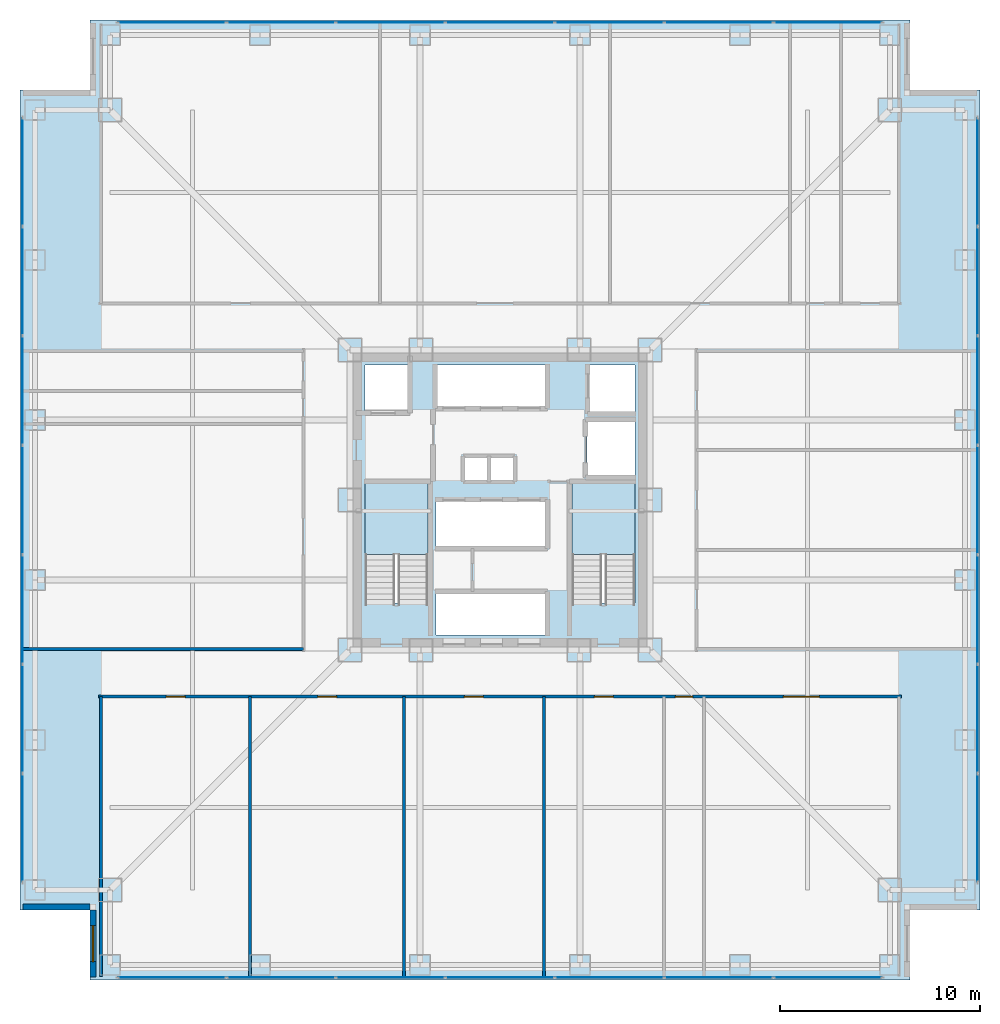
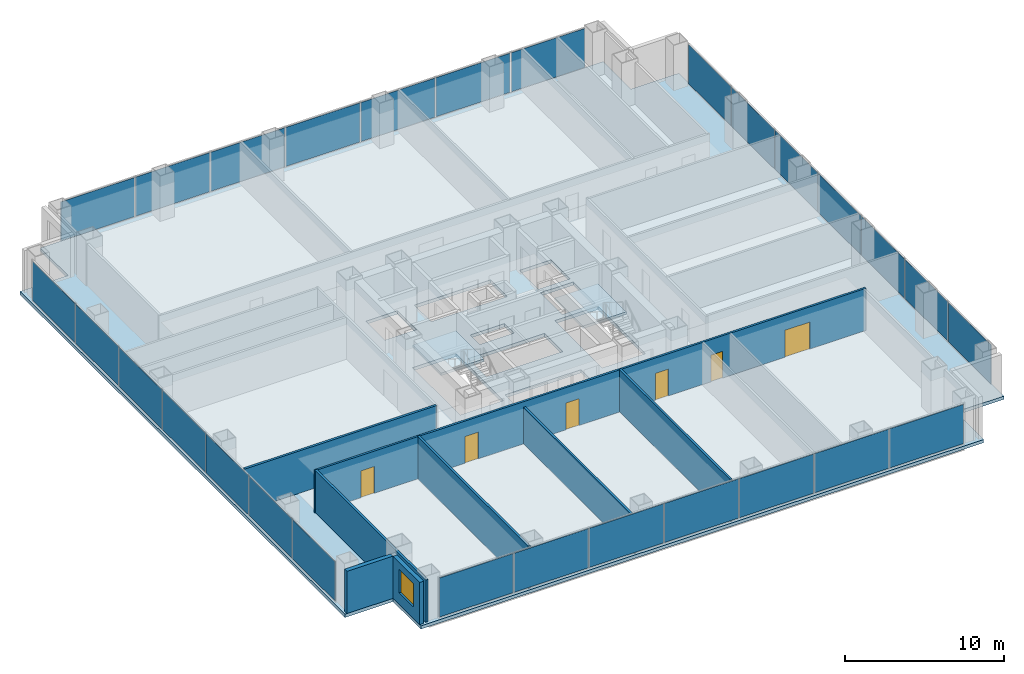
# One storey, part 14 of 19: 28 plates, 8 walls, 6 doors, 3 slabs, 1 window, 7 openings, 6 elements without a shape of their own.
"""IFC4 building model written with IfcOpenShell, lengths in metres."""

import ifcopenshell
import ifcopenshell.guid

model = None  # the IFC model being written
_history = None  # IfcOwnerHistory: only IFC2X3 demands one
_inside = {}  # id of a spatial element -> (the spatial element, [elements in it])
_under = {}  # id of a project, library or spatial element -> (it, [spatial elements below it])
_declared = {}  # id of a project -> (the project, [libraries it declares])
_typed = {}  # id of a type object -> (the type object, [elements of that type])
_made_of = {}  # id of a material, layer set ... -> (it, [elements and type objects made of it])


def new_model(schema):
    """Start an empty IFC model of exactly this schema.

    Asked for "IFC4X3", IfcOpenShell would pick the latest addendum, in which some entities
    have other attributes; the version numbers below select the first issue.
    IFC2X3 requires an IfcOwnerHistory on every rooted entity: one is made here for all.
    """
    global model, _history
    if schema == "IFC4X3":
        model = ifcopenshell.file(schema_version=(4, 3, 0, 0))
    else:
        model = ifcopenshell.file(schema=schema)
    _inside.clear()
    _under.clear()
    _declared.clear()
    _typed.clear()
    _made_of.clear()
    _history = None
    if model.schema == "IFC2X3":
        org = make("IfcOrganization", Name="unknown")
        user = make(
            "IfcPersonAndOrganization",
            ThePerson=make("IfcPerson", FamilyName="unknown"),
            TheOrganization=org,
        )
        app = make(
            "IfcApplication",
            ApplicationDeveloper=org,
            Version="unknown",
            ApplicationFullName="unknown",
            ApplicationIdentifier="unknown",
        )
        _history = make(
            "IfcOwnerHistory",
            OwningUser=user,
            OwningApplication=app,
            ChangeAction="ADDED",
            CreationDate=0,
        )
    return model


def make(cls, **values):
    """One entity of the class cls with the attributes given. An attribute that is None is left unset."""
    return model.create_entity(
        cls, **{name: value for name, value in values.items() if value is not None}
    )


def rooted(cls, **values):
    """An entity with a GlobalId (a new one), such as an element, a storey or a relation."""
    return make(cls, GlobalId=ifcopenshell.guid.new(), OwnerHistory=_history, **values)


def si_unit(unit_type, name, prefix=None):
    """IfcSIUnit, for example si_unit("LENGTHUNIT", "METRE", prefix="MILLI")."""
    return make("IfcSIUnit", UnitType=unit_type, Prefix=prefix, Name=name)


def assignment(units):
    """IfcUnitAssignment: the units of a project."""
    return None if units is None else make("IfcUnitAssignment", Units=units)


def point(xyz):
    """IfcCartesianPoint."""
    return None if xyz is None else make("IfcCartesianPoint", Coordinates=xyz)


def direction(xyz):
    """IfcDirection."""
    return None if xyz is None else make("IfcDirection", DirectionRatios=xyz)


def frame(location, z_axis=None, x_axis=None):
    """IfcAxis2Placement3D, a coordinate frame: its origin and axes. An axis left out is left unset."""
    return make(
        "IfcAxis2Placement3D",
        Location=point(location),
        Axis=direction(z_axis),
        RefDirection=direction(x_axis),
    )


def frame_2d(location, x_axis=None):
    """IfcAxis2Placement2D, a coordinate frame in the plane: its origin and x axis."""
    return make(
        "IfcAxis2Placement2D", Location=point(location), RefDirection=direction(x_axis)
    )


def origin():
    """The frame at (0, 0, 0) with its axes left unset."""
    return frame((0.0, 0.0, 0.0))


def origin_2d():
    """The frame at (0, 0) in the plane with its x axis left unset."""
    return frame_2d((0.0, 0.0))


def place(relative_to, where):
    """IfcLocalPlacement: puts the frame where relative to a parent placement (None: the world)."""
    return make(
        "IfcLocalPlacement", PlacementRelTo=relative_to, RelativePlacement=where
    )


def context(
    kind, dimensions, precision=None, world=None, true_north=None, identifier=None
):
    """IfcGeometricRepresentationContext, for example the 3D "Model" context."""
    return make(
        "IfcGeometricRepresentationContext",
        ContextIdentifier=identifier,
        ContextType=kind,
        CoordinateSpaceDimension=dimensions,
        Precision=precision,
        WorldCoordinateSystem=world,
        TrueNorth=true_north,
    )


def subcontext(parent, identifier, kind, view, scale=None):
    """IfcGeometricRepresentationSubContext, for example "Body" below "Model"."""
    return make(
        "IfcGeometricRepresentationSubContext",
        ContextIdentifier=identifier,
        ContextType=kind,
        ParentContext=parent,
        TargetScale=scale,
        TargetView=view,
    )


def project(units=None, contexts=None):
    """IfcProject with its units and contexts."""
    return rooted(
        "IfcProject",
        Name="project",
        RepresentationContexts=contexts,
        UnitsInContext=assignment(units),
    )


def spatial(cls, under=None, at=None, **own):
    """A site, building, storey or space (cls), placed at a placement, below another one or the project."""
    s = rooted(cls, ObjectPlacement=at, **own)
    if under is not None:
        _under.setdefault(under.id(), (under, []))[1].append(s)
    return s


def polyline(points):
    """IfcPolyline through the points."""
    return make("IfcPolyline", Points=[point(p) for p in points])


def profile(cls, at=None, kind="AREA", **sizes):
    """A parametric profile (cls). Its sizes go by their IFC names, for example OverallWidth=200.0."""
    return make(cls, ProfileType=kind, Position=at, **sizes)


def rectangle(**sizes):
    """IfcRectangleProfileDef."""
    return profile("IfcRectangleProfileDef", **sizes)


def outline(outer, holes=None, kind="AREA"):
    """IfcArbitraryClosedProfileDef: a profile drawn as a closed curve; with holes, ...WithVoids."""
    if holes is None:
        return make("IfcArbitraryClosedProfileDef", ProfileType=kind, OuterCurve=outer)
    return make(
        "IfcArbitraryProfileDefWithVoids",
        ProfileType=kind,
        OuterCurve=outer,
        InnerCurves=holes,
    )


def extrude(swept, where, along, depth):
    """IfcExtrudedAreaSolid: the profile swept, set in the frame where, extruded along a direction by depth."""
    return make(
        "IfcExtrudedAreaSolid",
        SweptArea=swept,
        Position=where,
        ExtrudedDirection=direction(along),
        Depth=depth,
    )


def shape(context_of_items, identifier, shape_type, items):
    """IfcShapeRepresentation: the items that make up one representation, for example the "Body"."""
    return make(
        "IfcShapeRepresentation",
        ContextOfItems=context_of_items,
        RepresentationIdentifier=identifier,
        RepresentationType=shape_type,
        Items=items,
    )


def material(Name=None, Category=None):
    """IfcMaterial."""
    return make("IfcMaterial", Name=Name, Category=Category)


def layer(
    of_material, thickness, ventilated=None, Name=None, Category=None, Priority=None
):
    """IfcMaterialLayer: one layer of a wall or slab, of a material (None: an air gap)."""
    return make(
        "IfcMaterialLayer",
        Material=of_material,
        LayerThickness=thickness,
        IsVentilated=ventilated,
        Name=Name,
        Category=Category,
        Priority=Priority,
    )


def layer_set(layers, Name=None):
    """IfcMaterialLayerSet."""
    return make("IfcMaterialLayerSet", MaterialLayers=layers, LayerSetName=Name)


def made_of(thing, what):
    """Note that an element or type object is made of a material, layer set ...; save() writes the relation."""
    if what is not None:
        _made_of.setdefault(what.id(), (what, []))[1].append(thing)
    return thing


def type_object(cls, material=None, **own):
    """A type object (cls), such as IfcWallType, which elements share."""
    return made_of(rooted(cls, **own), material)


def element(
    cls,
    number,
    at=None,
    inside=None,
    cuts=None,
    type_object=None,
    material=None,
    context=None,
    identifier="Body",
    shape_type=None,
    held_by="IfcProductDefinitionShape",
    body=None,
    shapes=None,
    **own,
):
    """One element of the class cls, such as IfcWall. Its Tag is "e" and its number.

    at: its placement. inside: the storey or other place that contains it. cuts: it is an
    opening in that element (IfcRelVoidsElement). A single representation is given by context,
    identifier, shape_type and body (its items); several are given by shapes. held_by: the class
    of the entity that holds the representations. save() writes the other relations.
    """
    e = rooted(cls, Tag="e%d" % number, ObjectPlacement=at, **own)
    if body is not None:
        shapes = [shape(context, identifier, shape_type, body)]
    if shapes is not None:
        e.Representation = make(held_by, Representations=shapes)
    if inside is not None:
        _inside.setdefault(inside.id(), (inside, []))[1].append(e)
    if cuts is not None:
        rooted(
            "IfcRelVoidsElement", RelatingBuildingElement=cuts, RelatedOpeningElement=e
        )
    if type_object is not None:
        _typed.setdefault(type_object.id(), (type_object, []))[1].append(e)
    return made_of(e, material)


def fill(opening, filler):
    """IfcRelFillsElement: the door or window that sits in an opening."""
    return rooted(
        "IfcRelFillsElement",
        RelatingOpeningElement=opening,
        RelatedBuildingElement=filler,
    )


def aggregate(whole, parts):
    """IfcRelAggregates: a whole, such as a stair, and the parts it consists of."""
    return rooted("IfcRelAggregates", RelatingObject=whole, RelatedObjects=parts)


def save(model, path):
    """Write the relations noted so far, then the file.

    IfcRelAggregates (storeys below a building ...), IfcRelContainedInSpatialStructure (elements
    in a storey), IfcRelDefinesByType, IfcRelAssociatesMaterial and IfcRelDeclares: one each for
    every whole, place, type object, material and project.
    """
    for whole, parts in _under.values():
        aggregate(whole, parts)
    for where, things in _inside.values():
        rooted(
            "IfcRelContainedInSpatialStructure",
            RelatedElements=things,
            RelatingStructure=where,
        )
    for kind, things in _typed.values():
        rooted("IfcRelDefinesByType", RelatedObjects=things, RelatingType=kind)
    for what, things in _made_of.values():
        rooted("IfcRelAssociatesMaterial", RelatedObjects=things, RelatingMaterial=what)
    for by, libraries in _declared.values():
        rooted("IfcRelDeclares", RelatingContext=by, RelatedDefinitions=libraries)
    model.write(path)


model = new_model("IFC4")

# Units and contexts
model_context = context("Model", 3, precision=1e-05, world=origin(), true_north=direction((0.0, 1.0)))
body_context = subcontext(model_context, "Body", "Model", "MODEL_VIEW")
ifc_project = project(units=[si_unit("LENGTHUNIT", "METRE"), si_unit("AREAUNIT", "SQUARE_METRE"), si_unit("VOLUMEUNIT", "CUBIC_METRE"), si_unit("PLANEANGLEUNIT", "RADIAN"), si_unit("MASSUNIT", "GRAM", prefix="KILO")], contexts=[model_context])

# Site, building, storey
site_placement = place(None, origin())
site = spatial("IfcSite", under=ifc_project, at=site_placement, CompositionType="ELEMENT")
building_placement = place(site_placement, origin())
building = spatial("IfcBuilding", under=site, at=building_placement, Name="Trevonay Congress Spire", CompositionType="ELEMENT")
storey_placement = place(building_placement, frame((0.0, 0.0, 41.0)))
storey = spatial("IfcBuildingStorey", under=building, at=storey_placement, Name="L09", CompositionType="ELEMENT", Elevation=41.0)

# Curtain wall, plates
ifc_material_1 = material(Name="Pale Anodised Aluminium EN AW-6063-T6", Category="aluminium")
ifc_layer_1 = layer(ifc_material_1, 0.179931640625, Name="Pale Anodised Aluminium EN AW-6063-T6")
ifc_layer_set_1 = layer_set([ifc_layer_1], Name="Pale Anodised Aluminium EN AW-6063-T6")
curtain_wall_type = type_object("IfcCurtainWallType", Name="CW-SYS02-HOTEL-PALE-METAL", PredefinedType="NOTDEFINED", material=ifc_layer_set_1)
curtain_wall_1_placement = place(storey_placement, origin())
curtain_wall_1 = element("IfcCurtainWall", 1, at=curtain_wall_1_placement, inside=storey, type_object=curtain_wall_type, Name="L09 S unitised curtain wall", PredefinedType="NOTDEFINED")
ifc_material_2 = material(Name="Insulated Low-E Vision Glass IGU", Category="glass")
ifc_layer_2 = layer(ifc_material_2, 0.035888671875, Name="Insulated Low-E Vision Glass IGU")
ifc_layer_set_2 = layer_set([ifc_layer_2], Name="Insulated Low-E Vision Glass IGU")
plate_type = type_object("IfcPlateType", Name="CW-PANEL-IGU36-SILVER", PredefinedType="CURTAIN_PANEL", material=ifc_layer_set_2)
plate_1_placement = place(storey_placement, frame((-16.399169921875, -23.8798828125, 0.1201171875), z_axis=(0.0, 0.0, 1.0), x_axis=(1.0, 0.0, 0.0)))
plate_1 = element("IfcPlate", 2, at=plate_1_placement, type_object=plate_type, Name="CW02 panel 1.1", PredefinedType="CURTAIN_PANEL", context=body_context, shape_type="SweptSolid", body=[
    extrude(rectangle(XDim=5.38134765625, YDim=0.035888671875, at=origin_2d()), origin(), (0.0, 0.0, 1.0), 3.010009765625),
])
plate_2_placement = place(storey_placement, frame((-10.94287109375, -23.8798828125, 0.1201171875), z_axis=(0.0, 0.0, 1.0), x_axis=(1.0, 0.0, 0.0)))
plate_2 = element("IfcPlate", 3, at=plate_2_placement, type_object=plate_type, Name="CW02 panel 2.1", PredefinedType="CURTAIN_PANEL", context=body_context, shape_type="SweptSolid", body=[
    extrude(rectangle(XDim=5.411376953125, YDim=0.035888671875, at=origin_2d()), origin(), (0.0, 0.0, 1.0), 3.010009765625),
])
plate_3_placement = place(storey_placement, frame((-5.471435546875, -23.8798828125, 0.1201171875), z_axis=(0.0, 0.0, 1.0), x_axis=(1.0, 0.0, 0.0)))
plate_3 = element("IfcPlate", 4, at=plate_3_placement, type_object=plate_type, Name="CW02 panel 3.1", PredefinedType="CURTAIN_PANEL", context=body_context, shape_type="SweptSolid", body=[
    extrude(rectangle(XDim=5.411376953125, YDim=0.035888671875, at=origin_2d()), origin(), (0.0, 0.0, 1.0), 3.010009765625),
])
plate_4_placement = place(storey_placement, frame((0.0, -23.8798828125, 0.1201171875), z_axis=(0.0, 0.0, 1.0), x_axis=(1.0, 0.0, 0.0)))
plate_4 = element("IfcPlate", 5, at=plate_4_placement, type_object=plate_type, Name="CW02 panel 4.1", PredefinedType="CURTAIN_PANEL", context=body_context, shape_type="SweptSolid", body=[
    extrude(rectangle(XDim=5.411376953125, YDim=0.035888671875, at=origin_2d()), origin(), (0.0, 0.0, 1.0), 3.010009765625),
])
plate_5_placement = place(storey_placement, frame((5.471435546875, -23.8798828125, 0.1201171875), z_axis=(0.0, 0.0, 1.0), x_axis=(1.0, 0.0, 0.0)))
plate_5 = element("IfcPlate", 6, at=plate_5_placement, type_object=plate_type, Name="CW02 panel 5.1", PredefinedType="CURTAIN_PANEL", context=body_context, shape_type="SweptSolid", body=[
    extrude(rectangle(XDim=5.411376953125, YDim=0.035888671875, at=origin_2d()), origin(), (0.0, 0.0, 1.0), 3.010009765625),
])
plate_6_placement = place(storey_placement, frame((10.94287109375, -23.8798828125, 0.1201171875), z_axis=(0.0, 0.0, 1.0), x_axis=(1.0, 0.0, 0.0)))
plate_6 = element("IfcPlate", 7, at=plate_6_placement, type_object=plate_type, Name="CW02 panel 6.1", PredefinedType="CURTAIN_PANEL", context=body_context, shape_type="SweptSolid", body=[
    extrude(rectangle(XDim=5.411376953125, YDim=0.035888671875, at=origin_2d()), origin(), (0.0, 0.0, 1.0), 3.010009765625),
])
plate_7_placement = place(storey_placement, frame((16.399169921875, -23.8798828125, 0.1201171875), z_axis=(0.0, 0.0, 1.0), x_axis=(1.0, 0.0, 0.0)))
plate_7 = element("IfcPlate", 8, at=plate_7_placement, type_object=plate_type, Name="CW02 panel 7.1", PredefinedType="CURTAIN_PANEL", context=body_context, shape_type="SweptSolid", body=[
    extrude(rectangle(XDim=5.38134765625, YDim=0.035888671875, at=origin_2d()), origin(), (0.0, 0.0, 1.0), 3.010009765625),
])
aggregate(curtain_wall_1, [plate_1, plate_2, plate_3, plate_4, plate_5, plate_6, plate_7])

curtain_wall_2_placement = place(storey_placement, origin())
curtain_wall_2 = element("IfcCurtainWall", 9, at=curtain_wall_2_placement, inside=storey, type_object=curtain_wall_type, Name="L09 N unitised curtain wall", PredefinedType="NOTDEFINED")
plate_8_placement = place(storey_placement, frame((-16.399169921875, 23.8798828125, 0.1201171875), z_axis=(0.0, 0.0, 1.0), x_axis=(1.0, 0.0, 0.0)))
plate_8 = element("IfcPlate", 10, at=plate_8_placement, type_object=plate_type, Name="CW02 panel 1.1", PredefinedType="CURTAIN_PANEL", context=body_context, shape_type="SweptSolid", body=[
    extrude(rectangle(XDim=5.38134765625, YDim=0.035888671875, at=origin_2d()), origin(), (0.0, 0.0, 1.0), 3.010009765625),
])
plate_9_placement = place(storey_placement, frame((-10.94287109375, 23.8798828125, 0.1201171875), z_axis=(0.0, 0.0, 1.0), x_axis=(1.0, 0.0, 0.0)))
plate_9 = element("IfcPlate", 11, at=plate_9_placement, type_object=plate_type, Name="CW02 panel 2.1", PredefinedType="CURTAIN_PANEL", context=body_context, shape_type="SweptSolid", body=[
    extrude(rectangle(XDim=5.411376953125, YDim=0.035888671875, at=origin_2d()), origin(), (0.0, 0.0, 1.0), 3.010009765625),
])
plate_10_placement = place(storey_placement, frame((-5.471435546875, 23.8798828125, 0.1201171875), z_axis=(0.0, 0.0, 1.0), x_axis=(1.0, 0.0, 0.0)))
plate_10 = element("IfcPlate", 12, at=plate_10_placement, type_object=plate_type, Name="CW02 panel 3.1", PredefinedType="CURTAIN_PANEL", context=body_context, shape_type="SweptSolid", body=[
    extrude(rectangle(XDim=5.411376953125, YDim=0.035888671875, at=origin_2d()), origin(), (0.0, 0.0, 1.0), 3.010009765625),
])
plate_11_placement = place(storey_placement, frame((0.0, 23.8798828125, 0.1201171875), z_axis=(0.0, 0.0, 1.0), x_axis=(1.0, 0.0, 0.0)))
plate_11 = element("IfcPlate", 13, at=plate_11_placement, type_object=plate_type, Name="CW02 panel 4.1", PredefinedType="CURTAIN_PANEL", context=body_context, shape_type="SweptSolid", body=[
    extrude(rectangle(XDim=5.411376953125, YDim=0.035888671875, at=origin_2d()), origin(), (0.0, 0.0, 1.0), 3.010009765625),
])
plate_12_placement = place(storey_placement, frame((5.471435546875, 23.8798828125, 0.1201171875), z_axis=(0.0, 0.0, 1.0), x_axis=(1.0, 0.0, 0.0)))
plate_12 = element("IfcPlate", 14, at=plate_12_placement, type_object=plate_type, Name="CW02 panel 5.1", PredefinedType="CURTAIN_PANEL", context=body_context, shape_type="SweptSolid", body=[
    extrude(rectangle(XDim=5.411376953125, YDim=0.035888671875, at=origin_2d()), origin(), (0.0, 0.0, 1.0), 3.010009765625),
])
plate_13_placement = place(storey_placement, frame((10.94287109375, 23.8798828125, 0.1201171875), z_axis=(0.0, 0.0, 1.0), x_axis=(1.0, 0.0, 0.0)))
plate_13 = element("IfcPlate", 15, at=plate_13_placement, type_object=plate_type, Name="CW02 panel 6.1", PredefinedType="CURTAIN_PANEL", context=body_context, shape_type="SweptSolid", body=[
    extrude(rectangle(XDim=5.411376953125, YDim=0.035888671875, at=origin_2d()), origin(), (0.0, 0.0, 1.0), 3.010009765625),
])
plate_14_placement = place(storey_placement, frame((16.399169921875, 23.8798828125, 0.1201171875), z_axis=(0.0, 0.0, 1.0), x_axis=(1.0, 0.0, 0.0)))
plate_14 = element("IfcPlate", 16, at=plate_14_placement, type_object=plate_type, Name="CW02 panel 7.1", PredefinedType="CURTAIN_PANEL", context=body_context, shape_type="SweptSolid", body=[
    extrude(rectangle(XDim=5.38134765625, YDim=0.035888671875, at=origin_2d()), origin(), (0.0, 0.0, 1.0), 3.010009765625),
])
aggregate(curtain_wall_2, [plate_8, plate_9, plate_10, plate_11, plate_12, plate_13, plate_14])

curtain_wall_3_placement = place(storey_placement, origin())
curtain_wall_3 = element("IfcCurtainWall", 17, at=curtain_wall_3_placement, inside=storey, type_object=curtain_wall_type, Name="L09 W unitised curtain wall", PredefinedType="NOTDEFINED")
plate_15_placement = place(storey_placement, frame((-23.8798828125, -16.399169921875, 0.1201171875), z_axis=(0.0, 0.0, 1.0), x_axis=(0.0, 1.0, 0.0)))
plate_15 = element("IfcPlate", 18, at=plate_15_placement, type_object=plate_type, Name="CW02 panel 1.1", PredefinedType="CURTAIN_PANEL", context=body_context, shape_type="SweptSolid", body=[
    extrude(rectangle(XDim=5.38134765625, YDim=0.035888671875, at=origin_2d()), origin(), (0.0, 0.0, 1.0), 3.010009765625),
])
plate_16_placement = place(storey_placement, frame((-23.8798828125, -10.94287109375, 0.1201171875), z_axis=(0.0, 0.0, 1.0), x_axis=(0.0, 1.0, 0.0)))
plate_16 = element("IfcPlate", 19, at=plate_16_placement, type_object=plate_type, Name="CW02 panel 2.1", PredefinedType="CURTAIN_PANEL", context=body_context, shape_type="SweptSolid", body=[
    extrude(rectangle(XDim=5.411376953125, YDim=0.035888671875, at=origin_2d()), origin(), (0.0, 0.0, 1.0), 3.010009765625),
])
plate_17_placement = place(storey_placement, frame((-23.8798828125, -5.471435546875, 0.1201171875), z_axis=(0.0, 0.0, 1.0), x_axis=(0.0, 1.0, 0.0)))
plate_17 = element("IfcPlate", 20, at=plate_17_placement, type_object=plate_type, Name="CW02 panel 3.1", PredefinedType="CURTAIN_PANEL", context=body_context, shape_type="SweptSolid", body=[
    extrude(rectangle(XDim=5.411376953125, YDim=0.035888671875, at=origin_2d()), origin(), (0.0, 0.0, 1.0), 3.010009765625),
])
plate_18_placement = place(storey_placement, frame((-23.8798828125, 0.0, 0.1201171875), z_axis=(0.0, 0.0, 1.0), x_axis=(0.0, 1.0, 0.0)))
plate_18 = element("IfcPlate", 21, at=plate_18_placement, type_object=plate_type, Name="CW02 panel 4.1", PredefinedType="CURTAIN_PANEL", context=body_context, shape_type="SweptSolid", body=[
    extrude(rectangle(XDim=5.411376953125, YDim=0.035888671875, at=origin_2d()), origin(), (0.0, 0.0, 1.0), 3.010009765625),
])
plate_19_placement = place(storey_placement, frame((-23.8798828125, 5.471435546875, 0.1201171875), z_axis=(0.0, 0.0, 1.0), x_axis=(0.0, 1.0, 0.0)))
plate_19 = element("IfcPlate", 22, at=plate_19_placement, type_object=plate_type, Name="CW02 panel 5.1", PredefinedType="CURTAIN_PANEL", context=body_context, shape_type="SweptSolid", body=[
    extrude(rectangle(XDim=5.411376953125, YDim=0.035888671875, at=origin_2d()), origin(), (0.0, 0.0, 1.0), 3.010009765625),
])
plate_20_placement = place(storey_placement, frame((-23.8798828125, 10.94287109375, 0.1201171875), z_axis=(0.0, 0.0, 1.0), x_axis=(0.0, 1.0, 0.0)))
plate_20 = element("IfcPlate", 23, at=plate_20_placement, type_object=plate_type, Name="CW02 panel 6.1", PredefinedType="CURTAIN_PANEL", context=body_context, shape_type="SweptSolid", body=[
    extrude(rectangle(XDim=5.411376953125, YDim=0.035888671875, at=origin_2d()), origin(), (0.0, 0.0, 1.0), 3.010009765625),
])
plate_21_placement = place(storey_placement, frame((-23.8798828125, 16.399169921875, 0.1201171875), z_axis=(0.0, 0.0, 1.0), x_axis=(0.0, 1.0, 0.0)))
plate_21 = element("IfcPlate", 24, at=plate_21_placement, type_object=plate_type, Name="CW02 panel 7.1", PredefinedType="CURTAIN_PANEL", context=body_context, shape_type="SweptSolid", body=[
    extrude(rectangle(XDim=5.38134765625, YDim=0.035888671875, at=origin_2d()), origin(), (0.0, 0.0, 1.0), 3.010009765625),
])
aggregate(curtain_wall_3, [plate_15, plate_16, plate_17, plate_18, plate_19, plate_20, plate_21])

curtain_wall_4_placement = place(storey_placement, origin())
curtain_wall_4 = element("IfcCurtainWall", 25, at=curtain_wall_4_placement, inside=storey, type_object=curtain_wall_type, Name="L09 E unitised curtain wall", PredefinedType="NOTDEFINED")
plate_22_placement = place(storey_placement, frame((23.8798828125, -16.399169921875, 0.1201171875), z_axis=(0.0, 0.0, 1.0), x_axis=(0.0, 1.0, 0.0)))
plate_22 = element("IfcPlate", 26, at=plate_22_placement, type_object=plate_type, Name="CW02 panel 1.1", PredefinedType="CURTAIN_PANEL", context=body_context, shape_type="SweptSolid", body=[
    extrude(rectangle(XDim=5.38134765625, YDim=0.035888671875, at=origin_2d()), origin(), (0.0, 0.0, 1.0), 3.010009765625),
])
plate_23_placement = place(storey_placement, frame((23.8798828125, -10.94287109375, 0.1201171875), z_axis=(0.0, 0.0, 1.0), x_axis=(0.0, 1.0, 0.0)))
plate_23 = element("IfcPlate", 27, at=plate_23_placement, type_object=plate_type, Name="CW02 panel 2.1", PredefinedType="CURTAIN_PANEL", context=body_context, shape_type="SweptSolid", body=[
    extrude(rectangle(XDim=5.411376953125, YDim=0.035888671875, at=origin_2d()), origin(), (0.0, 0.0, 1.0), 3.010009765625),
])
plate_24_placement = place(storey_placement, frame((23.8798828125, -5.471435546875, 0.1201171875), z_axis=(0.0, 0.0, 1.0), x_axis=(0.0, 1.0, 0.0)))
plate_24 = element("IfcPlate", 28, at=plate_24_placement, type_object=plate_type, Name="CW02 panel 3.1", PredefinedType="CURTAIN_PANEL", context=body_context, shape_type="SweptSolid", body=[
    extrude(rectangle(XDim=5.411376953125, YDim=0.035888671875, at=origin_2d()), origin(), (0.0, 0.0, 1.0), 3.010009765625),
])
plate_25_placement = place(storey_placement, frame((23.8798828125, 0.0, 0.1201171875), z_axis=(0.0, 0.0, 1.0), x_axis=(0.0, 1.0, 0.0)))
plate_25 = element("IfcPlate", 29, at=plate_25_placement, type_object=plate_type, Name="CW02 panel 4.1", PredefinedType="CURTAIN_PANEL", context=body_context, shape_type="SweptSolid", body=[
    extrude(rectangle(XDim=5.411376953125, YDim=0.035888671875, at=origin_2d()), origin(), (0.0, 0.0, 1.0), 3.010009765625),
])
plate_26_placement = place(storey_placement, frame((23.8798828125, 5.471435546875, 0.1201171875), z_axis=(0.0, 0.0, 1.0), x_axis=(0.0, 1.0, 0.0)))
plate_26 = element("IfcPlate", 30, at=plate_26_placement, type_object=plate_type, Name="CW02 panel 5.1", PredefinedType="CURTAIN_PANEL", context=body_context, shape_type="SweptSolid", body=[
    extrude(rectangle(XDim=5.411376953125, YDim=0.035888671875, at=origin_2d()), origin(), (0.0, 0.0, 1.0), 3.010009765625),
])
plate_27_placement = place(storey_placement, frame((23.8798828125, 10.94287109375, 0.1201171875), z_axis=(0.0, 0.0, 1.0), x_axis=(0.0, 1.0, 0.0)))
plate_27 = element("IfcPlate", 31, at=plate_27_placement, type_object=plate_type, Name="CW02 panel 6.1", PredefinedType="CURTAIN_PANEL", context=body_context, shape_type="SweptSolid", body=[
    extrude(rectangle(XDim=5.411376953125, YDim=0.035888671875, at=origin_2d()), origin(), (0.0, 0.0, 1.0), 3.010009765625),
])
plate_28_placement = place(storey_placement, frame((23.8798828125, 16.399169921875, 0.1201171875), z_axis=(0.0, 0.0, 1.0), x_axis=(0.0, 1.0, 0.0)))
plate_28 = element("IfcPlate", 32, at=plate_28_placement, type_object=plate_type, Name="CW02 panel 7.1", PredefinedType="CURTAIN_PANEL", context=body_context, shape_type="SweptSolid", body=[
    extrude(rectangle(XDim=5.38134765625, YDim=0.035888671875, at=origin_2d()), origin(), (0.0, 0.0, 1.0), 3.010009765625),
])
aggregate(curtain_wall_4, [plate_22, plate_23, plate_24, plate_25, plate_26, plate_27, plate_28])

# Stair, slab
ifc_material_3 = material(Name="Concrete C40/50", Category="concrete")
stair_type_1 = type_object("IfcStairType", Name="STR-ST-1", PredefinedType="HALF_TURN_STAIR", material=ifc_material_3)
stair_1_placement = place(storey_placement, origin())
stair_1 = element("IfcStair", 33, at=stair_1_placement, inside=storey, type_object=stair_type_1, Name="L09 Protected Exit Stair ST-1", PredefinedType="HALF_TURN_STAIR")
ifc_layer_3 = layer(ifc_material_3, 0.199951171875, Name="Concrete C40/50")
ifc_layer_set_3 = layer_set([ifc_layer_3], Name="Concrete C40/50")
slab_type_1 = type_object("IfcSlabType", Name="SLB-STAIR-LAND-200", PredefinedType="LANDING", material=ifc_layer_set_3)
slab_1_placement = place(storey_placement, frame((0.0, 0.0, 1.550048828125)))
slab_1 = element("IfcSlab", 34, at=slab_1_placement, type_object=slab_type_1, Name="ST-1 landing 1", PredefinedType="LANDING", context=body_context, shape_type="SweptSolid", body=[
    extrude(outline(polyline([(-3.60009765625, -2.72998046875), (-3.60009765625, 0.85009765625), (-6.75, 0.85009765625), (-6.75, -2.72998046875), (-3.60009765625, -2.72998046875)])), origin(), (0.0, 0.0, 1.0), 0.199951171875),
])
aggregate(stair_1, [slab_1])

stair_type_2 = type_object("IfcStairType", Name="STR-ST-2", PredefinedType="HALF_TURN_STAIR", material=ifc_material_3)
stair_2_placement = place(storey_placement, origin())
stair_2 = element("IfcStair", 35, at=stair_2_placement, inside=storey, type_object=stair_type_2, Name="L09 Protected Exit Stair ST-2", PredefinedType="HALF_TURN_STAIR")
slab_2_placement = place(storey_placement, frame((0.0, 0.0, 1.550048828125)))
slab_2 = element("IfcSlab", 36, at=slab_2_placement, type_object=slab_type_1, Name="ST-2 landing 1", PredefinedType="LANDING", context=body_context, shape_type="SweptSolid", body=[
    extrude(outline(polyline([(6.75, -2.72998046875), (6.75, 0.85009765625), (3.60009765625, 0.85009765625), (3.60009765625, -2.72998046875), (6.75, -2.72998046875)])), origin(), (0.0, 0.0, 1.0), 0.199951171875),
])
aggregate(stair_2, [slab_2])

# Slab
ifc_layer_4 = layer(ifc_material_3, 0.25, Name="Concrete C40/50")
ifc_layer_set_4 = layer_set([ifc_layer_4], Name="Concrete C40/50")
slab_type_2 = type_object("IfcSlabType", Name="SLB-TOW1-250", PredefinedType="FLOOR", material=ifc_layer_set_4)
slab_3_placement = place(storey_placement, frame((0.0, 0.0, -0.25)))
element("IfcSlab", 37, at=slab_3_placement, inside=storey, type_object=slab_type_2, Name="L09 structural floor slab", PredefinedType="FLOOR", context=body_context, shape_type="SweptSolid", body=[
    extrude(outline(polyline([(-20.5, -24.0), (20.5, -24.0), (20.5, -20.5), (24.0, -20.5), (24.0, 20.5), (20.5, 20.5), (20.5, 24.0), (-20.5, 24.0), (-20.5, 20.5), (-24.0, 20.5), (-24.0, -20.5), (-20.5, -20.5), (-20.5, -24.0)]), holes=[polyline([(-3.60009765625, -5.14990234375), (-3.60009765625, 0.85009765625), (-6.75, 0.85009765625), (-6.75, -5.14990234375), (-3.60009765625, -5.14990234375)]), polyline([(6.75, -5.14990234375), (6.75, 0.85009765625), (3.60009765625, 0.85009765625), (3.60009765625, -5.14990234375), (6.75, -5.14990234375)]), polyline([(-3.199951171875, -6.75), (2.340087890625, -6.75), (2.340087890625, -4.64990234375), (-3.199951171875, -4.64990234375), (-3.199951171875, -6.75)]), polyline([(-3.199951171875, -2.35009765625), (2.340087890625, -2.35009765625), (2.340087890625, -0.050048828125), (-3.199951171875, -0.050048828125), (-3.199951171875, -2.35009765625)]), polyline([(-3.199951171875, 4.64990234375), (2.340087890625, 4.64990234375), (2.340087890625, 6.75), (-3.199951171875, 6.75), (-3.199951171875, 4.64990234375)]), polyline([(-6.75, 4.35009765625), (-4.449951171875, 4.35009765625), (-4.449951171875, 6.75), (-6.75, 6.75), (-6.75, 4.35009765625)]), polyline([(4.449951171875, 4.35009765625), (6.75, 4.35009765625), (6.75, 6.75), (4.449951171875, 6.75), (4.449951171875, 4.35009765625)]), polyline([(4.35009765625, 1.199951171875), (6.75, 1.199951171875), (6.75, 3.949951171875), (4.35009765625, 3.949951171875), (4.35009765625, 1.199951171875)]), polyline([(-1.800048828125, 0.949951171875), (0.699951171875, 0.949951171875), (0.699951171875, 2.14990234375), (-1.800048828125, 2.14990234375), (-1.800048828125, 0.949951171875)])]), origin(), (0.0, 0.0, 1.0), 0.25),
])

# Wall, openings, doors
ifc_layer_5 = layer(ifc_material_3, 0.14990234375, Name="Concrete C40/50")
ifc_layer_set_5 = layer_set([ifc_layer_5], Name="Concrete C40/50")
wall_type_1 = type_object("IfcWallType", Name="WAL-CORR-150", PredefinedType="PARTITIONING", material=ifc_layer_set_5)
wall_1_placement = place(storey_placement, frame((-20.070068359375, -9.830078125, 0.0), z_axis=(0.0, 0.0, 1.0), x_axis=(1.0, 0.0, 0.0)))
wall_1 = element("IfcWall", 38, at=wall_1_placement, inside=storey, type_object=wall_type_1, Name="L09 interior wall WP-L09S-COR", PredefinedType="PARTITIONING", context=body_context, shape_type="SweptSolid", body=[
    extrude(rectangle(XDim=40.14013671875, YDim=0.14990234375, at=frame_2d((20.070068359375, 0.0))), origin(), (0.0, 0.0, 1.0), 3.25),
])
opening_1_placement = place(wall_1_placement, frame((3.3701171875, 0.0, 0.0)))
opening_1 = element("IfcOpeningElement", 39, at=opening_1_placement, cuts=wall_1, Name="Opening D07", PredefinedType="OPENING", context=body_context, shape_type="SweptSolid", body=[
    extrude(rectangle(XDim=0.949951171875, YDim=2.06005859375, at=frame_2d((0.47509765625, 1.030029296875))), frame((0.0, 0.0849609375, 0.0), z_axis=(0.0, -1.0, 0.0), x_axis=(1.0, 0.0, 0.0)), (0.0, 0.0, 1.0), 0.169921875),
])
opening_2_placement = place(wall_1_placement, frame((10.945068359375, 0.0, 0.0)))
opening_2 = element("IfcOpeningElement", 40, at=opening_2_placement, cuts=wall_1, Name="Opening D07", PredefinedType="OPENING", context=body_context, shape_type="SweptSolid", body=[
    extrude(rectangle(XDim=0.949951171875, YDim=2.06005859375, at=frame_2d((0.47509765625, 1.030029296875))), frame((0.0, 0.0849609375, 0.0), z_axis=(0.0, -1.0, 0.0), x_axis=(1.0, 0.0, 0.0)), (0.0, 0.0, 1.0), 0.169921875),
])
opening_3_placement = place(wall_1_placement, frame((18.294921875, 0.0, 0.0)))
opening_3 = element("IfcOpeningElement", 41, at=opening_3_placement, cuts=wall_1, Name="Opening D07", PredefinedType="OPENING", context=body_context, shape_type="SweptSolid", body=[
    extrude(rectangle(XDim=0.949951171875, YDim=2.06005859375, at=frame_2d((0.47509765625, 1.030029296875))), frame((0.0, 0.0849609375, 0.0), z_axis=(0.0, -1.0, 0.0), x_axis=(1.0, 0.0, 0.0)), (0.0, 0.0, 1.0), 0.169921875),
])
opening_4_placement = place(wall_1_placement, frame((24.794921875, 0.0, 0.0)))
opening_4 = element("IfcOpeningElement", 42, at=opening_4_placement, cuts=wall_1, Name="Opening D07", PredefinedType="OPENING", context=body_context, shape_type="SweptSolid", body=[
    extrude(rectangle(XDim=0.949951171875, YDim=2.06005859375, at=frame_2d((0.47509765625, 1.030029296875))), frame((0.0, 0.0849609375, 0.0), z_axis=(0.0, -1.0, 0.0), x_axis=(1.0, 0.0, 0.0)), (0.0, 0.0, 1.0), 0.169921875),
])
opening_5_placement = place(wall_1_placement, frame((28.844970703125, 0.0, 0.0)))
opening_5 = element("IfcOpeningElement", 43, at=opening_5_placement, cuts=wall_1, Name="Opening D10", PredefinedType="OPENING", context=body_context, shape_type="SweptSolid", body=[
    extrude(rectangle(XDim=0.85009765625, YDim=2.050048828125, at=frame_2d((0.425048828125, 1.02490234375))), frame((0.0, 0.0849609375, 0.0), z_axis=(0.0, -1.0, 0.0), x_axis=(1.0, 0.0, 0.0)), (0.0, 0.0, 1.0), 0.169921875),
])
opening_6_placement = place(wall_1_placement, frame((34.2451171875, 0.0, 0.0)))
opening_6 = element("IfcOpeningElement", 44, at=opening_6_placement, cuts=wall_1, Name="Opening D09", PredefinedType="OPENING", context=body_context, shape_type="SweptSolid", body=[
    extrude(rectangle(XDim=1.800048828125, YDim=2.080078125, at=frame_2d((0.89990234375, 1.0400390625))), frame((0.0, 0.0849609375, 0.0), z_axis=(0.0, -1.0, 0.0), x_axis=(1.0, 0.0, 0.0)), (0.0, 0.0, 1.0), 0.169921875),
])
door_type_1 = type_object("IfcDoorType", Name="DOR-CONF-DBL", OperationType="DOUBLE_DOOR_SINGLE_SWING", PredefinedType="DOOR", material=ifc_material_1)
door_1_placement = place(opening_6_placement, origin())
door_1 = element("IfcDoor", 45, at=door_1_placement, inside=storey, type_object=door_type_1, Name="L09 Delegate Seminar Room D Door", OperationType="DOUBLE_DOOR_SINGLE_SWING", OverallHeight=2.080078125, OverallWidth=1.800048828125, PredefinedType="DOOR", context=body_context, shape_type="SweptSolid", body=[
    extrude(rectangle(XDim=1.800048828125, YDim=2.080078125, at=frame_2d((0.89990234375, 1.0400390625))), frame((0.0, 0.02490234375, 0.0), z_axis=(0.0, -1.0, 0.0), x_axis=(1.0, 0.0, 0.0)), (0.0, 0.0, 1.0), 0.050048828125),
])
fill(opening_6, door_1)
door_type_2 = type_object("IfcDoorType", Name="DOR-OFFICE-95", OperationType="NOTDEFINED", PredefinedType="DOOR", material=ifc_material_1)
door_2_placement = place(opening_1_placement, origin())
door_2 = element("IfcDoor", 46, at=door_2_placement, inside=storey, type_object=door_type_2, Name="L09 Delegate Breakout Room A Door", OperationType="SINGLE_SWING_LEFT", OverallHeight=2.06005859375, OverallWidth=0.949951171875, PredefinedType="DOOR", context=body_context, shape_type="SweptSolid", body=[
    extrude(rectangle(XDim=0.949951171875, YDim=2.06005859375, at=frame_2d((0.47509765625, 1.030029296875))), frame((0.0, 0.02490234375, 0.0), z_axis=(0.0, -1.0, 0.0), x_axis=(1.0, 0.0, 0.0)), (0.0, 0.0, 1.0), 0.050048828125),
])
fill(opening_1, door_2)
door_3_placement = place(opening_2_placement, origin())
door_3 = element("IfcDoor", 47, at=door_3_placement, inside=storey, type_object=door_type_2, Name="L09 Delegate Breakout Room B Door", OperationType="SINGLE_SWING_RIGHT", OverallHeight=2.06005859375, OverallWidth=0.949951171875, PredefinedType="DOOR", context=body_context, shape_type="SweptSolid", body=[
    extrude(rectangle(XDim=0.949951171875, YDim=2.06005859375, at=frame_2d((0.47509765625, 1.030029296875))), frame((0.0, 0.02490234375, 0.0), z_axis=(0.0, -1.0, 0.0), x_axis=(1.0, 0.0, 0.0)), (0.0, 0.0, 1.0), 0.050048828125),
])
fill(opening_2, door_3)
door_4_placement = place(opening_3_placement, origin())
door_4 = element("IfcDoor", 48, at=door_4_placement, inside=storey, type_object=door_type_2, Name="L09 Delegate Breakout Room C Door", OperationType="SINGLE_SWING_LEFT", OverallHeight=2.06005859375, OverallWidth=0.949951171875, PredefinedType="DOOR", context=body_context, shape_type="SweptSolid", body=[
    extrude(rectangle(XDim=0.949951171875, YDim=2.06005859375, at=frame_2d((0.47509765625, 1.030029296875))), frame((0.0, 0.02490234375, 0.0), z_axis=(0.0, -1.0, 0.0), x_axis=(1.0, 0.0, 0.0)), (0.0, 0.0, 1.0), 0.050048828125),
])
fill(opening_3, door_4)
door_5_placement = place(opening_4_placement, origin())
door_5 = element("IfcDoor", 49, at=door_5_placement, inside=storey, type_object=door_type_2, Name="L09 Breakout Coffee Lounge Door", OperationType="SINGLE_SWING_RIGHT", OverallHeight=2.06005859375, OverallWidth=0.949951171875, PredefinedType="DOOR", context=body_context, shape_type="SweptSolid", body=[
    extrude(rectangle(XDim=0.949951171875, YDim=2.06005859375, at=frame_2d((0.47509765625, 1.030029296875))), frame((0.0, 0.02490234375, 0.0), z_axis=(0.0, -1.0, 0.0), x_axis=(1.0, 0.0, 0.0)), (0.0, 0.0, 1.0), 0.050048828125),
])
fill(opening_4, door_5)
door_type_3 = type_object("IfcDoorType", Name="DOR-WC-85", OperationType="NOTDEFINED", PredefinedType="DOOR", material=ifc_material_1)
door_6_placement = place(opening_5_placement, origin())
door_6 = element("IfcDoor", 50, at=door_6_placement, inside=storey, type_object=door_type_3, Name="L09 Accessible WC Door", OperationType="SINGLE_SWING_LEFT", OverallHeight=2.050048828125, OverallWidth=0.85009765625, PredefinedType="DOOR", context=body_context, shape_type="SweptSolid", body=[
    extrude(rectangle(XDim=0.85009765625, YDim=2.050048828125, at=frame_2d((0.425048828125, 1.02490234375))), frame((0.0, 0.02490234375, 0.0), z_axis=(0.0, -1.0, 0.0), x_axis=(1.0, 0.0, 0.0)), (0.0, 0.0, 1.0), 0.050048828125),
])
fill(opening_5, door_6)

# Wall, opening, window
ifc_material_4 = material(Name="Precast concrete C40/50", Category="concrete")
ifc_layer_6 = layer(ifc_material_4, 0.300048828125, Name="Precast concrete C40/50")
ifc_layer_set_6 = layer_set([ifc_layer_6], Name="Precast concrete C40/50")
wall_type_2 = type_object("IfcWallType", Name="WAL-EXT-PRECAST-300", PredefinedType="SOLIDWALL", material=ifc_layer_set_6)
wall_2_placement = place(storey_placement, frame((-20.35009765625, -23.85009765625, 0.0), z_axis=(0.0, 0.0, 1.0), x_axis=(0.0, 1.0, 0.0)))
wall_2 = element("IfcWall", 51, at=wall_2_placement, inside=storey, type_object=wall_type_2, Name="L09 SW re-entrant notch exterior wall 1", PredefinedType="SOLIDWALL", context=body_context, shape_type="SweptSolid", body=[
    extrude(rectangle(XDim=3.35009765625, YDim=0.300048828125, at=frame_2d((1.675048828125, 0.0))), origin(), (0.0, 0.0, 1.0), 3.25),
])
opening_7_placement = place(wall_2_placement, frame((0.77490234375, 0.0, 0.89990234375)))
opening_7 = element("IfcOpeningElement", 52, at=opening_7_placement, cuts=wall_2, Name="Opening WN01", PredefinedType="OPENING", context=body_context, shape_type="SweptSolid", body=[
    extrude(rectangle(XDim=1.800048828125, YDim=1.800048828125, at=frame_2d((0.89990234375, 0.89990234375))), frame((0.0, 0.16015625, 0.0), z_axis=(0.0, -1.0, 0.0), x_axis=(1.0, 0.0, 0.0)), (0.0, 0.0, 1.0), 0.320068359375),
])
window_type = type_object("IfcWindowType", Name="WIN-HOTEL-180X180", PartitioningType="SINGLE_PANEL", PredefinedType="WINDOW", material=ifc_material_2)
window_placement = place(opening_7_placement, origin())
window = element("IfcWindow", 53, at=window_placement, inside=storey, type_object=window_type, Name="L09 SW corner notch window", OverallHeight=1.800048828125, OverallWidth=1.800048828125, PartitioningType="SINGLE_PANEL", PredefinedType="WINDOW", context=body_context, shape_type="SweptSolid", body=[
    extrude(rectangle(XDim=1.800048828125, YDim=1.800048828125, at=frame_2d((0.89990234375, 0.89990234375))), frame((0.0, 0.030029296875, 0.0), z_axis=(0.0, -1.0, 0.0), x_axis=(1.0, 0.0, 0.0)), (0.0, 0.0, 1.0), 0.06005859375),
])
fill(opening_7, window)

# Walls
wall_3_placement = place(storey_placement, frame((-23.85009765625, -20.35009765625, 0.0), z_axis=(0.0, 0.0, 1.0), x_axis=(1.0, 0.0, 0.0)))
element("IfcWall", 54, at=wall_3_placement, inside=storey, type_object=wall_type_2, Name="L09 SW re-entrant notch exterior wall 2", PredefinedType="SOLIDWALL", context=body_context, shape_type="SweptSolid", body=[
    extrude(rectangle(XDim=3.35009765625, YDim=0.300048828125, at=frame_2d((1.675048828125, 0.0))), origin(), (0.0, 0.0, 1.0), 3.25),
])
ifc_layer_7 = layer(ifc_material_3, 0.14990234375, Name="Concrete C40/50")
ifc_layer_set_7 = layer_set([ifc_layer_7], Name="Concrete C40/50")
wall_type_3 = type_object("IfcWallType", Name="WAL-PART-150", PredefinedType="PARTITIONING", material=ifc_layer_set_7)
wall_4_placement = place(storey_placement, frame((-4.800048828125, -23.820068359375, 0.0), z_axis=(0.0, 0.0, 1.0), x_axis=(0.0, 1.0, 0.0)))
element("IfcWall", 55, at=wall_4_placement, inside=storey, type_object=wall_type_3, Name="L09 interior wall WP-L09S-DIV3", PredefinedType="PARTITIONING", context=body_context, shape_type="SweptSolid", body=[
    extrude(rectangle(XDim=13.989990234375, YDim=0.14990234375, at=frame_2d((6.9951171875, 0.0))), origin(), (0.0, 0.0, 1.0), 2.818115234375),
])
wall_5_placement = place(storey_placement, frame((2.199951171875, -23.820068359375, 0.0), z_axis=(0.0, 0.0, 1.0), x_axis=(0.0, 1.0, 0.0)))
element("IfcWall", 56, at=wall_5_placement, inside=storey, type_object=wall_type_3, Name="L09 interior wall WP-L09S-DIV4", PredefinedType="PARTITIONING", context=body_context, shape_type="SweptSolid", body=[
    extrude(rectangle(XDim=13.989990234375, YDim=0.14990234375, at=frame_2d((6.9951171875, 0.0))), origin(), (0.0, 0.0, 1.0), 3.25),
])
ifc_layer_8 = layer(ifc_material_3, 0.1650390625, Name="Concrete C40/50")
ifc_layer_set_8 = layer_set([ifc_layer_8], Name="Concrete C40/50")
wall_type_4 = type_object("IfcWallType", Name="WAL-WET-165", PredefinedType="PLUMBINGWALL", material=ifc_layer_set_8)
for number, where, z_axis, x_axis, name in (
    (57, (-19.949951171875, -23.820068359375, 0.0), (0.0, 0.0, 1.0), (0.0, 1.0, 0.0), "L09 interior wall WP-L09S-DIV1"),
    (58, (-12.5, -23.820068359375, 0.0), (0.0, 0.0, 1.0), (0.0, 1.0, 0.0), "L09 interior wall WP-L09S-DIV2"),
    (59, (-23.820068359375, -7.449951171875, 0.0), (0.0, 0.0, 1.0), (1.0, 0.0, 0.0), "L09 interior wall WP-L09W-DIV1"),
):
    element("IfcWall", number, at=place(storey_placement, frame(where, z_axis=z_axis, x_axis=x_axis)), inside=storey, type_object=wall_type_4, Name=name, PredefinedType="PLUMBINGWALL", context=body_context, shape_type="SweptSolid", body=[
        extrude(rectangle(XDim=13.989990234375, YDim=0.1650390625, at=frame_2d((6.9951171875, 0.0))), origin(), (0.0, 0.0, 1.0), 3.25),
    ])

save(model, "model.ifc")
